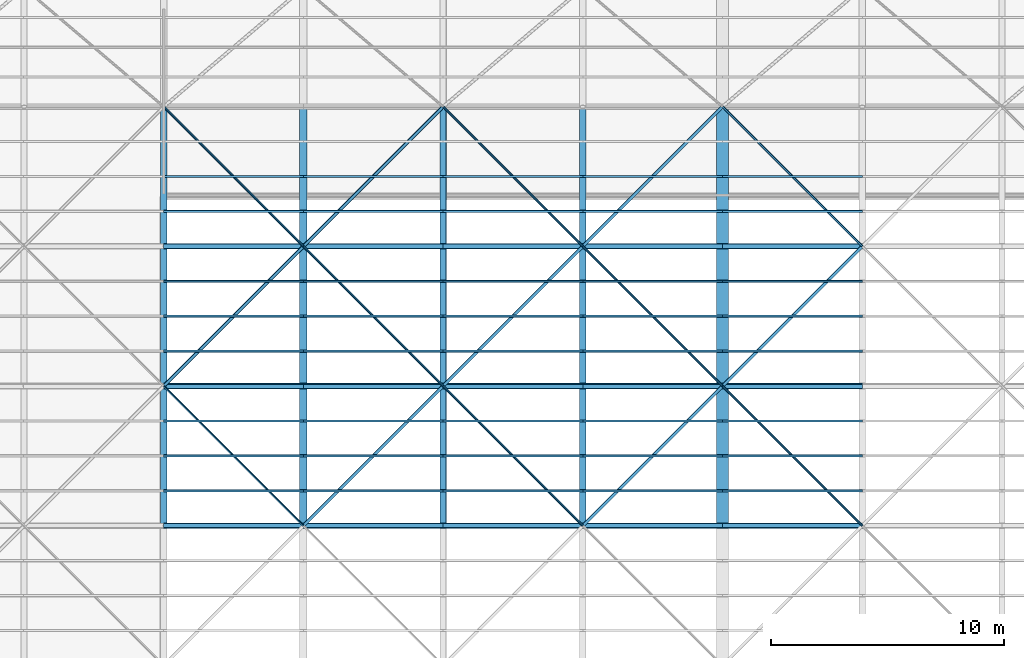
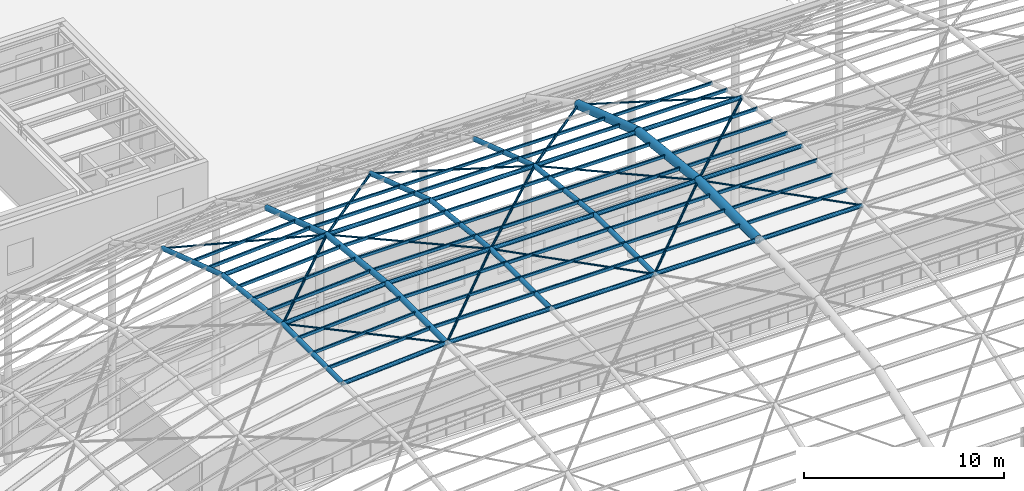
# One storey, part 31 of 75: 85 members.
"""IFC4 building model written with IfcOpenShell, lengths in metres."""

from ifc_helpers import new_model, si_unit, direction, frame, origin, origin_2d, place, context, subcontext, project, spatial, hollow_rectangle, hollow_circle, extrude, material, material_profile, profile_set, type_object, element, save


model = new_model("IFC4")

# Units and contexts
model_context = context("Model", 3, precision=1e-05, world=origin(), true_north=direction((0.0, 1.0)))
body_context = subcontext(model_context, "Body", "Model", "MODEL_VIEW")
ifc_project = project(units=[si_unit("LENGTHUNIT", "METRE"), si_unit("AREAUNIT", "SQUARE_METRE"), si_unit("VOLUMEUNIT", "CUBIC_METRE"), si_unit("PLANEANGLEUNIT", "RADIAN"), si_unit("MASSUNIT", "GRAM", prefix="KILO")], contexts=[model_context])

# Site, building, storey
site_placement = place(None, origin())
site = spatial("IfcSite", under=ifc_project, at=site_placement, CompositionType="ELEMENT")
building_placement = place(site_placement, origin())
building = spatial("IfcBuilding", under=site, at=building_placement, Name="Kolvaren Corner Interchange", CompositionType="ELEMENT")
storey_placement = place(building_placement, frame((0.0, 0.0, 10.5)))
storey = spatial("IfcBuildingStorey", under=building, at=storey_placement, Name="L03", CompositionType="ELEMENT", Elevation=10.5)

# Members
ifc_material_1 = material(Name="Steel S355", Category="steel")
ifc_material_profile_1 = material_profile(ifc_material_1, hollow_circle(Radius=0.05078125, WallThickness=0.00634765625, at=origin_2d()), Name="CHS 101.6x6.3")
ifc_profile_set_1 = profile_set([ifc_material_profile_1], Name="Steel S355")
member_type_1 = type_object("IfcMemberType", Name="MEM-BR-CHS102", PredefinedType="BRACE", material=ifc_profile_set_1)
member_1_placement = place(storey_placement, frame((66.0, 54.0, 16.705078125), z_axis=(0.706417257101, -0.706417257101, 0.044151078569), x_axis=(0.707106781187, 0.707106781187, 0.0)))
element("IfcMember", 1, at=member_1_placement, inside=storey, type_object=member_type_1, Name="Concourse Translational Gridshell Nodal Diagonal Brace 0029", PredefinedType="BRACE", context=body_context, shape_type="SweptSolid", body=[
    extrude(hollow_circle(Radius=0.05078125, WallThickness=0.00634765625, at=origin_2d()), origin(), (0.0, 0.0, 1.0), 8.49365234375),
])
member_2_placement = place(storey_placement, frame((66.0, 66.0, 14.0380859375), z_axis=(0.680936695779, -0.680936695779, 0.269537442079), x_axis=(0.707106781187, 0.707106781187, 0.0)))
element("IfcMember", 2, at=member_2_placement, inside=storey, type_object=member_type_1, Name="Concourse Translational Gridshell Nodal Diagonal Brace 0031", PredefinedType="BRACE", context=body_context, shape_type="SweptSolid", body=[
    extrude(hollow_circle(Radius=0.05078125, WallThickness=0.00634765625, at=origin_2d()), origin(), (0.0, 0.0, 1.0), 8.811279296875),
])
member_3_placement = place(storey_placement, frame((72.0, 60.0, 16.4130859375), z_axis=(0.704932292788, -0.704932292788, 0.078364055334), x_axis=(0.707106781187, 0.707106781187, 0.0)))
element("IfcMember", 3, at=member_3_placement, inside=storey, type_object=member_type_1, Name="Concourse Translational Gridshell Nodal Diagonal Brace 0038", PredefinedType="BRACE", context=body_context, shape_type="SweptSolid", body=[
    extrude(hollow_circle(Radius=0.05078125, WallThickness=0.00634765625, at=origin_2d()), origin(), (0.0, 0.0, 1.0), 8.511474609375),
])
member_4_placement = place(storey_placement, frame((78.0, 54.0, 17.080078125), z_axis=(0.707106781187, -0.707106781187, 0.0), x_axis=(0.707106781187, 0.707106781187, 0.0)))
element("IfcMember", 4, at=member_4_placement, inside=storey, type_object=member_type_1, Name="Concourse Translational Gridshell Nodal Diagonal Brace 0045", PredefinedType="BRACE", context=body_context, shape_type="SweptSolid", body=[
    extrude(hollow_circle(Radius=0.05078125, WallThickness=0.00634765625, at=origin_2d()), origin(), (0.0, 0.0, 1.0), 8.4853515625),
])
member_5_placement = place(storey_placement, frame((78.0, 66.0, 14.4130859375), z_axis=(0.688247201612, -0.688247201612, 0.229415733871), x_axis=(0.707106781187, 0.707106781187, 0.0)))
element("IfcMember", 5, at=member_5_placement, inside=storey, type_object=member_type_1, Name="Concourse Translational Gridshell Nodal Diagonal Brace 0047", PredefinedType="BRACE", context=body_context, shape_type="SweptSolid", body=[
    extrude(hollow_circle(Radius=0.05078125, WallThickness=0.00634765625, at=origin_2d()), origin(), (0.0, 0.0, 1.0), 8.7177734375),
])
member_6_placement = place(storey_placement, frame((84.0, 60.0, 16.4130859375), z_axis=(0.704932292788, -0.704932292788, 0.078364055334), x_axis=(0.707106781187, 0.707106781187, 0.0)))
element("IfcMember", 6, at=member_6_placement, inside=storey, type_object=member_type_1, Name="Concourse Translational Gridshell Nodal Diagonal Brace 0054", PredefinedType="BRACE", context=body_context, shape_type="SweptSolid", body=[
    extrude(hollow_circle(Radius=0.05078125, WallThickness=0.00634765625, at=origin_2d()), origin(), (0.0, 0.0, 1.0), 8.511474609375),
])
member_7_placement = place(storey_placement, frame((90.0, 54.0, 17.080078125), z_axis=(0.707106781187, -0.707106781187, 0.0), x_axis=(0.707106781187, 0.707106781187, 0.0)))
element("IfcMember", 7, at=member_7_placement, inside=storey, type_object=member_type_1, Name="Concourse Translational Gridshell Nodal Diagonal Brace 0061", PredefinedType="BRACE", context=body_context, shape_type="SweptSolid", body=[
    extrude(hollow_circle(Radius=0.05078125, WallThickness=0.00634765625, at=origin_2d()), origin(), (0.0, 0.0, 1.0), 8.4853515625),
])
member_8_placement = place(storey_placement, frame((90.0, 66.0, 14.4130859375), z_axis=(0.688247201612, -0.688247201612, 0.229415733871), x_axis=(0.707106781187, 0.707106781187, 0.0)))
element("IfcMember", 8, at=member_8_placement, inside=storey, type_object=member_type_1, Name="Concourse Translational Gridshell Nodal Diagonal Brace 0063", PredefinedType="BRACE", context=body_context, shape_type="SweptSolid", body=[
    extrude(hollow_circle(Radius=0.05078125, WallThickness=0.00634765625, at=origin_2d()), origin(), (0.0, 0.0, 1.0), 8.7177734375),
])
ifc_material_2 = material(Name="Steel S355", Category="steel")
ifc_material_profile_2 = material_profile(ifc_material_2, hollow_circle(Radius=0.06982421875, WallThickness=0.008056640625, at=origin_2d()), Name="CHS 139.7x8.0")
ifc_profile_set_2 = profile_set([ifc_material_profile_2], Name="Steel S355")
member_type_2 = type_object("IfcMemberType", Name="MEM-BR-CHS140", PredefinedType="BRACE", material=ifc_profile_set_2)
member_9_placement = place(storey_placement, frame((66.0, 54.0, 16.705078125), z_axis=(0.706688489265, 0.706688489265, -0.034391252977), x_axis=(-0.707106781187, 0.707106781187, 0.0)))
element("IfcMember", 9, at=member_9_placement, inside=storey, type_object=member_type_2, Name="Concourse Translational Gridshell Nodal Diagonal Brace 0030", PredefinedType="BRACE", context=body_context, shape_type="SweptSolid", body=[
    extrude(hollow_circle(Radius=0.06982421875, WallThickness=0.008056640625, at=origin_2d()), origin(), (0.0, 0.0, 1.0), 8.490234375),
])
member_10_placement = place(storey_placement, frame((72.0, 48.0, 17.080078125), z_axis=(0.707106781187, 0.707106781187, 0.0), x_axis=(-0.707106781187, 0.707106781187, 0.0)))
element("IfcMember", 10, at=member_10_placement, inside=storey, type_object=member_type_2, Name="Concourse Translational Gridshell Nodal Diagonal Brace 0037", PredefinedType="BRACE", context=body_context, shape_type="SweptSolid", body=[
    extrude(hollow_circle(Radius=0.06982421875, WallThickness=0.008056640625, at=origin_2d()), origin(), (0.0, 0.0, 1.0), 8.4853515625),
])
member_11_placement = place(storey_placement, frame((72.0, 60.0, 16.4130859375), z_axis=(0.688247201612, 0.688247201612, -0.229415733871), x_axis=(-0.707106781187, 0.707106781187, 0.0)))
element("IfcMember", 11, at=member_11_placement, inside=storey, type_object=member_type_2, Name="Concourse Translational Gridshell Nodal Diagonal Brace 0039", PredefinedType="BRACE", context=body_context, shape_type="SweptSolid", body=[
    extrude(hollow_circle(Radius=0.06982421875, WallThickness=0.008056640625, at=origin_2d()), origin(), (0.0, 0.0, 1.0), 8.7177734375),
])
member_12_placement = place(storey_placement, frame((78.0, 54.0, 17.080078125), z_axis=(0.704932292788, 0.704932292788, -0.078364055334), x_axis=(-0.707106781187, 0.707106781187, 0.0)))
element("IfcMember", 12, at=member_12_placement, inside=storey, type_object=member_type_2, Name="Concourse Translational Gridshell Nodal Diagonal Brace 0046", PredefinedType="BRACE", context=body_context, shape_type="SweptSolid", body=[
    extrude(hollow_circle(Radius=0.06982421875, WallThickness=0.008056640625, at=origin_2d()), origin(), (0.0, 0.0, 1.0), 8.511474609375),
])
member_13_placement = place(storey_placement, frame((84.0, 48.0, 17.080078125), z_axis=(0.707106781187, 0.707106781187, 0.0), x_axis=(-0.707106781187, 0.707106781187, 0.0)))
element("IfcMember", 13, at=member_13_placement, inside=storey, type_object=member_type_2, Name="Concourse Translational Gridshell Nodal Diagonal Brace 0053", PredefinedType="BRACE", context=body_context, shape_type="SweptSolid", body=[
    extrude(hollow_circle(Radius=0.06982421875, WallThickness=0.008056640625, at=origin_2d()), origin(), (0.0, 0.0, 1.0), 8.4853515625),
])
member_14_placement = place(storey_placement, frame((84.0, 60.0, 16.4130859375), z_axis=(0.688247201612, 0.688247201612, -0.229415733871), x_axis=(-0.707106781187, 0.707106781187, 0.0)))
element("IfcMember", 14, at=member_14_placement, inside=storey, type_object=member_type_2, Name="Concourse Translational Gridshell Nodal Diagonal Brace 0055", PredefinedType="BRACE", context=body_context, shape_type="SweptSolid", body=[
    extrude(hollow_circle(Radius=0.06982421875, WallThickness=0.008056640625, at=origin_2d()), origin(), (0.0, 0.0, 1.0), 8.7177734375),
])
member_15_placement = place(storey_placement, frame((90.0, 54.0, 17.080078125), z_axis=(0.704932292788, 0.704932292788, -0.078364055334), x_axis=(-0.707106781187, 0.707106781187, 0.0)))
element("IfcMember", 15, at=member_15_placement, inside=storey, type_object=member_type_2, Name="Concourse Translational Gridshell Nodal Diagonal Brace 0062", PredefinedType="BRACE", context=body_context, shape_type="SweptSolid", body=[
    extrude(hollow_circle(Radius=0.06982421875, WallThickness=0.008056640625, at=origin_2d()), origin(), (0.0, 0.0, 1.0), 8.511474609375),
])
ifc_material_3 = material(Name="Steel S355", Category="steel")
ifc_material_profile_3 = material_profile(ifc_material_3, hollow_circle(Radius=0.122314453125, WallThickness=0.012451171875, at=origin_2d()), Name="CHS 244.5x12.5")
ifc_profile_set_3 = profile_set([ifc_material_profile_3], Name="Steel S355")
member_type_3 = type_object("IfcMemberType", Name="MEM-CH-CHS245", PredefinedType="CHORD", material=ifc_profile_set_3)
member_16_placement = place(storey_placement, frame((66.0, 48.0, 16.705078125), z_axis=(0.998052578483, 0.0, 0.062378286155), x_axis=(0.0, 1.0, 0.0)))
element("IfcMember", 16, at=member_16_placement, inside=storey, type_object=member_type_3, Name="Concourse Translational Gridshell Longitudinal Arch Chord 0150", PredefinedType="CHORD", context=body_context, shape_type="SweptSolid", body=[
    extrude(hollow_circle(Radius=0.122314453125, WallThickness=0.012451171875, at=origin_2d()), origin(), (0.0, 0.0, 1.0), 6.01171875),
])
for number, where, z_axis, x_axis, name in (
    (17, (72.0, 48.0, 17.080078125), (1.0, 0.0, 0.0), (0.0, 1.0, 0.0), "Concourse Translational Gridshell Longitudinal Arch Chord 0151"),
    (18, (78.0, 48.0, 17.080078125), (1.0, 0.0, 0.0), (0.0, 1.0, 0.0), "Concourse Translational Gridshell Longitudinal Arch Chord 0152"),
    (19, (84.0, 48.0, 17.080078125), (1.0, 0.0, 0.0), (0.0, 1.0, 0.0), "Concourse Translational Gridshell Longitudinal Arch Chord 0153"),
    (20, (90.0, 48.0, 17.080078125), (1.0, 0.0, 0.0), (0.0, 1.0, 0.0), "Concourse Translational Gridshell Longitudinal Arch Chord 0154"),
):
    element("IfcMember", number, at=place(storey_placement, frame(where, z_axis=z_axis, x_axis=x_axis)), inside=storey, type_object=member_type_3, Name=name, PredefinedType="CHORD", context=body_context, shape_type="SweptSolid", body=[
        extrude(hollow_circle(Radius=0.122314453125, WallThickness=0.012451171875, at=origin_2d()), origin(), (0.0, 0.0, 1.0), 6.0),
    ])
member_17_placement = place(storey_placement, frame((66.0, 54.0, 16.705078125), z_axis=(0.998052578483, 0.0, 0.062378286155), x_axis=(0.0, 1.0, 0.0)))
element("IfcMember", 21, at=member_17_placement, inside=storey, type_object=member_type_3, Name="Concourse Translational Gridshell Longitudinal Arch Chord 0164", PredefinedType="CHORD", context=body_context, shape_type="SweptSolid", body=[
    extrude(hollow_circle(Radius=0.122314453125, WallThickness=0.012451171875, at=origin_2d()), origin(), (0.0, 0.0, 1.0), 6.01171875),
])
for number, where, z_axis, x_axis, name in (
    (22, (72.0, 54.0, 17.080078125), (1.0, 0.0, 0.0), (0.0, 1.0, 0.0), "Concourse Translational Gridshell Longitudinal Arch Chord 0165"),
    (23, (78.0, 54.0, 17.080078125), (1.0, 0.0, 0.0), (0.0, 1.0, 0.0), "Concourse Translational Gridshell Longitudinal Arch Chord 0166"),
    (24, (84.0, 54.0, 17.080078125), (1.0, 0.0, 0.0), (0.0, 1.0, 0.0), "Concourse Translational Gridshell Longitudinal Arch Chord 0167"),
    (25, (90.0, 54.0, 17.080078125), (1.0, 0.0, 0.0), (0.0, 1.0, 0.0), "Concourse Translational Gridshell Longitudinal Arch Chord 0168"),
):
    element("IfcMember", number, at=place(storey_placement, frame(where, z_axis=z_axis, x_axis=x_axis)), inside=storey, type_object=member_type_3, Name=name, PredefinedType="CHORD", context=body_context, shape_type="SweptSolid", body=[
        extrude(hollow_circle(Radius=0.122314453125, WallThickness=0.012451171875, at=origin_2d()), origin(), (0.0, 0.0, 1.0), 6.0),
    ])
member_18_placement = place(storey_placement, frame((66.0, 60.0, 16.0380859375), z_axis=(0.998052578483, 0.0, 0.062378286155), x_axis=(0.0, 1.0, 0.0)))
element("IfcMember", 26, at=member_18_placement, inside=storey, type_object=member_type_3, Name="Concourse Translational Gridshell Longitudinal Arch Chord 0178", PredefinedType="CHORD", context=body_context, shape_type="SweptSolid", body=[
    extrude(hollow_circle(Radius=0.122314453125, WallThickness=0.012451171875, at=origin_2d()), origin(), (0.0, 0.0, 1.0), 6.01171875),
])
for number, where, z_axis, x_axis, name in (
    (27, (72.0, 60.0, 16.4130859375), (1.0, 0.0, 0.0), (0.0, 1.0, 0.0), "Concourse Translational Gridshell Longitudinal Arch Chord 0179"),
    (28, (78.0, 60.0, 16.4130859375), (1.0, 0.0, 0.0), (0.0, 1.0, 0.0), "Concourse Translational Gridshell Longitudinal Arch Chord 0180"),
    (29, (84.0, 60.0, 16.4130859375), (1.0, 0.0, 0.0), (0.0, 1.0, 0.0), "Concourse Translational Gridshell Longitudinal Arch Chord 0181"),
    (30, (90.0, 60.0, 16.4130859375), (1.0, 0.0, 0.0), (0.0, 1.0, 0.0), "Concourse Translational Gridshell Longitudinal Arch Chord 0182"),
):
    element("IfcMember", number, at=place(storey_placement, frame(where, z_axis=z_axis, x_axis=x_axis)), inside=storey, type_object=member_type_3, Name=name, PredefinedType="CHORD", context=body_context, shape_type="SweptSolid", body=[
        extrude(hollow_circle(Radius=0.122314453125, WallThickness=0.012451171875, at=origin_2d()), origin(), (0.0, 0.0, 1.0), 6.0),
    ])
ifc_material_4 = material(Name="Steel S355", Category="steel")
ifc_material_profile_4 = material_profile(ifc_material_4, hollow_circle(Radius=0.136474609375, WallThickness=0.012451171875, at=origin_2d()), Name="CHS 273.0x12.5")
ifc_profile_set_4 = profile_set([ifc_material_profile_4], Name="Steel S355")
member_type_4 = type_object("IfcMemberType", Name="MEM-CH-CHS273", PredefinedType="CHORD", material=ifc_profile_set_4)
member_19_placement = place(storey_placement, frame((66.0, 48.0, 16.705078125), z_axis=(0.0, 1.0, 0.0), x_axis=(-1.0, 0.0, 0.0)))
element("IfcMember", 31, at=member_19_placement, inside=storey, type_object=member_type_4, Name="Concourse Translational Gridshell Transverse Arch Chord 0021", PredefinedType="CHORD", context=body_context, shape_type="SweptSolid", body=[
    extrude(hollow_circle(Radius=0.136474609375, WallThickness=0.012451171875, at=origin_2d()), origin(), (0.0, 0.0, 1.0), 6.0),
])
member_20_placement = place(storey_placement, frame((66.0, 54.0, 16.705078125), z_axis=(0.0, 0.993877815052, -0.110484789662), x_axis=(-1.0, 0.0, 0.0)))
element("IfcMember", 32, at=member_20_placement, inside=storey, type_object=member_type_4, Name="Concourse Translational Gridshell Transverse Arch Chord 0022", PredefinedType="CHORD", context=body_context, shape_type="SweptSolid", body=[
    extrude(hollow_circle(Radius=0.136474609375, WallThickness=0.012451171875, at=origin_2d()), origin(), (0.0, 0.0, 1.0), 6.036865234375),
])
member_21_placement = place(storey_placement, frame((66.0, 60.0, 16.0380859375), z_axis=(0.0, 0.948683298051, -0.316227766017), x_axis=(-1.0, 0.0, 0.0)))
element("IfcMember", 33, at=member_21_placement, inside=storey, type_object=member_type_4, Name="Concourse Translational Gridshell Transverse Arch Chord 0023", PredefinedType="CHORD", context=body_context, shape_type="SweptSolid", body=[
    extrude(hollow_circle(Radius=0.136474609375, WallThickness=0.012451171875, at=origin_2d()), origin(), (0.0, 0.0, 1.0), 6.324462890625),
])
member_22_placement = place(storey_placement, frame((78.0, 48.0, 17.080078125), z_axis=(0.0, 1.0, 0.0), x_axis=(-1.0, 0.0, 0.0)))
element("IfcMember", 34, at=member_22_placement, inside=storey, type_object=member_type_4, Name="Concourse Translational Gridshell Transverse Arch Chord 0037", PredefinedType="CHORD", context=body_context, shape_type="SweptSolid", body=[
    extrude(hollow_circle(Radius=0.136474609375, WallThickness=0.012451171875, at=origin_2d()), origin(), (0.0, 0.0, 1.0), 6.0),
])
member_23_placement = place(storey_placement, frame((78.0, 54.0, 17.080078125), z_axis=(0.0, 0.993877815052, -0.110484789662), x_axis=(-1.0, 0.0, 0.0)))
element("IfcMember", 35, at=member_23_placement, inside=storey, type_object=member_type_4, Name="Concourse Translational Gridshell Transverse Arch Chord 0038", PredefinedType="CHORD", context=body_context, shape_type="SweptSolid", body=[
    extrude(hollow_circle(Radius=0.136474609375, WallThickness=0.012451171875, at=origin_2d()), origin(), (0.0, 0.0, 1.0), 6.036865234375),
])
member_24_placement = place(storey_placement, frame((78.0, 60.0, 16.4130859375), z_axis=(0.0, 0.948683298051, -0.316227766017), x_axis=(-1.0, 0.0, 0.0)))
element("IfcMember", 36, at=member_24_placement, inside=storey, type_object=member_type_4, Name="Concourse Translational Gridshell Transverse Arch Chord 0039", PredefinedType="CHORD", context=body_context, shape_type="SweptSolid", body=[
    extrude(hollow_circle(Radius=0.136474609375, WallThickness=0.012451171875, at=origin_2d()), origin(), (0.0, 0.0, 1.0), 6.324462890625),
])
member_25_placement = place(storey_placement, frame((84.0, 48.0, 17.080078125), z_axis=(0.0, 1.0, 0.0), x_axis=(-1.0, 0.0, 0.0)))
element("IfcMember", 37, at=member_25_placement, inside=storey, type_object=member_type_4, Name="Concourse Translational Gridshell Transverse Arch Chord 0045", PredefinedType="CHORD", context=body_context, shape_type="SweptSolid", body=[
    extrude(hollow_circle(Radius=0.136474609375, WallThickness=0.012451171875, at=origin_2d()), origin(), (0.0, 0.0, 1.0), 6.0),
])
member_26_placement = place(storey_placement, frame((84.0, 54.0, 17.080078125), z_axis=(0.0, 0.993877815052, -0.110484789662), x_axis=(-1.0, 0.0, 0.0)))
element("IfcMember", 38, at=member_26_placement, inside=storey, type_object=member_type_4, Name="Concourse Translational Gridshell Transverse Arch Chord 0046", PredefinedType="CHORD", context=body_context, shape_type="SweptSolid", body=[
    extrude(hollow_circle(Radius=0.136474609375, WallThickness=0.012451171875, at=origin_2d()), origin(), (0.0, 0.0, 1.0), 6.036865234375),
])
member_27_placement = place(storey_placement, frame((84.0, 60.0, 16.4130859375), z_axis=(0.0, 0.948683298051, -0.316227766017), x_axis=(-1.0, 0.0, 0.0)))
element("IfcMember", 39, at=member_27_placement, inside=storey, type_object=member_type_4, Name="Concourse Translational Gridshell Transverse Arch Chord 0047", PredefinedType="CHORD", context=body_context, shape_type="SweptSolid", body=[
    extrude(hollow_circle(Radius=0.136474609375, WallThickness=0.012451171875, at=origin_2d()), origin(), (0.0, 0.0, 1.0), 6.324462890625),
])
ifc_material_5 = material(Name="Steel S355", Category="steel")
ifc_material_profile_5 = material_profile(ifc_material_5, hollow_circle(Radius=0.161865234375, WallThickness=0.012451171875, at=origin_2d()), Name="CHS 323.9x12.5")
ifc_profile_set_5 = profile_set([ifc_material_profile_5], Name="Steel S355")
member_type_5 = type_object("IfcMemberType", Name="MEM-CH-CHS324", PredefinedType="CHORD", material=ifc_profile_set_5)
member_28_placement = place(storey_placement, frame((72.0, 48.0, 17.080078125), z_axis=(0.0, 1.0, 0.0), x_axis=(-1.0, 0.0, 0.0)))
element("IfcMember", 40, at=member_28_placement, inside=storey, type_object=member_type_5, Name="Concourse Translational Gridshell Transverse Arch Chord 0029", PredefinedType="CHORD", context=body_context, shape_type="SweptSolid", body=[
    extrude(hollow_circle(Radius=0.161865234375, WallThickness=0.012451171875, at=origin_2d()), origin(), (0.0, 0.0, 1.0), 6.0),
])
member_29_placement = place(storey_placement, frame((72.0, 54.0, 17.080078125), z_axis=(0.0, 0.993877815052, -0.110484789662), x_axis=(-1.0, 0.0, 0.0)))
element("IfcMember", 41, at=member_29_placement, inside=storey, type_object=member_type_5, Name="Concourse Translational Gridshell Transverse Arch Chord 0030", PredefinedType="CHORD", context=body_context, shape_type="SweptSolid", body=[
    extrude(hollow_circle(Radius=0.161865234375, WallThickness=0.012451171875, at=origin_2d()), origin(), (0.0, 0.0, 1.0), 6.036865234375),
])
member_30_placement = place(storey_placement, frame((72.0, 60.0, 16.4130859375), z_axis=(0.0, 0.948683298051, -0.316227766017), x_axis=(-1.0, 0.0, 0.0)))
element("IfcMember", 42, at=member_30_placement, inside=storey, type_object=member_type_5, Name="Concourse Translational Gridshell Transverse Arch Chord 0031", PredefinedType="CHORD", context=body_context, shape_type="SweptSolid", body=[
    extrude(hollow_circle(Radius=0.161865234375, WallThickness=0.012451171875, at=origin_2d()), origin(), (0.0, 0.0, 1.0), 6.324462890625),
])
ifc_material_6 = material(Name="Steel S355", Category="steel")
ifc_material_profile_6 = material_profile(ifc_material_6, hollow_circle(Radius=0.25390625, WallThickness=0.01611328125, at=origin_2d()), Name="CHS 508.0x16.0")
ifc_profile_set_6 = profile_set([ifc_material_profile_6], Name="Steel S355")
member_type_6 = type_object("IfcMemberType", Name="MEM-CH-CHS508", PredefinedType="CHORD", material=ifc_profile_set_6)
member_31_placement = place(storey_placement, frame((90.0, 48.0, 17.080078125), z_axis=(0.0, 1.0, 0.0), x_axis=(-1.0, 0.0, 0.0)))
element("IfcMember", 43, at=member_31_placement, inside=storey, type_object=member_type_6, Name="Concourse Translational Gridshell Transverse Arch Chord 0053", PredefinedType="CHORD", context=body_context, shape_type="SweptSolid", body=[
    extrude(hollow_circle(Radius=0.25390625, WallThickness=0.01611328125, at=origin_2d()), origin(), (0.0, 0.0, 1.0), 6.0),
])
member_32_placement = place(storey_placement, frame((90.0, 54.0, 17.080078125), z_axis=(0.0, 0.993877815052, -0.110484789662), x_axis=(-1.0, 0.0, 0.0)))
element("IfcMember", 44, at=member_32_placement, inside=storey, type_object=member_type_6, Name="Concourse Translational Gridshell Transverse Arch Chord 0054", PredefinedType="CHORD", context=body_context, shape_type="SweptSolid", body=[
    extrude(hollow_circle(Radius=0.25390625, WallThickness=0.01611328125, at=origin_2d()), origin(), (0.0, 0.0, 1.0), 6.036865234375),
])
member_33_placement = place(storey_placement, frame((90.0, 60.0, 16.4130859375), z_axis=(0.0, 0.948683298051, -0.316227766017), x_axis=(-1.0, 0.0, 0.0)))
element("IfcMember", 45, at=member_33_placement, inside=storey, type_object=member_type_6, Name="Concourse Translational Gridshell Transverse Arch Chord 0055", PredefinedType="CHORD", context=body_context, shape_type="SweptSolid", body=[
    extrude(hollow_circle(Radius=0.25390625, WallThickness=0.01611328125, at=origin_2d()), origin(), (0.0, 0.0, 1.0), 6.324462890625),
])
ifc_material_7 = material(Name="Steel S355", Category="steel")
ifc_material_profile_7 = material_profile(ifc_material_7, hollow_rectangle(XDim=0.10009765625, YDim=0.179931640625, WallThickness=0.008056640625, InnerFilletRadius=0.008056640625, OuterFilletRadius=0.01611328125, at=origin_2d()), Name="RHS 180x100x8.0")
ifc_profile_set_7 = profile_set([ifc_material_profile_7], Name="Steel S355")
member_type_7 = type_object("IfcMemberType", Name="MEM-PR-RHS180", PredefinedType="PURLIN", material=ifc_profile_set_7)
for number, where, z_axis, x_axis, name in (
    (46, (66.0, 51.0, 16.7529296875), (0.998052578483, 0.0, 0.062378286155), (0.0, 1.0, 0.0), "Concourse Translational Gridshell Glazing Purlin 0029 Row 2"),
    (47, (66.0, 57.0, 16.41943359375), (0.998052578483, 0.0, 0.062378286155), (0.0, 1.0, 0.0), "Concourse Translational Gridshell Glazing Purlin 0030 Row 2"),
    (48, (66.0, 63.0, 15.0859375), (0.998052578483, 0.0, 0.062378286155), (0.0, 1.0, 0.0), "Concourse Translational Gridshell Glazing Purlin 0031 Row 2"),
):
    element("IfcMember", number, at=place(storey_placement, frame(where, z_axis=z_axis, x_axis=x_axis)), inside=storey, type_object=member_type_7, Name=name, PredefinedType="PURLIN", context=body_context, shape_type="SweptSolid", body=[
        extrude(hollow_rectangle(XDim=0.10009765625, YDim=0.179931640625, WallThickness=0.008056640625, InnerFilletRadius=0.008056640625, OuterFilletRadius=0.01611328125, at=origin_2d()), origin(), (0.0, 0.0, 1.0), 6.01171875),
    ])
for number, where, z_axis, x_axis, name in (
    (49, (72.0, 51.0, 17.1279296875), (1.0, 0.0, 0.0), (0.0, 1.0, 0.0), "Concourse Translational Gridshell Glazing Purlin 0037 Row 2"),
    (50, (72.0, 57.0, 16.79443359375), (1.0, 0.0, 0.0), (0.0, 1.0, 0.0), "Concourse Translational Gridshell Glazing Purlin 0038 Row 2"),
    (51, (72.0, 63.0, 15.4609375), (1.0, 0.0, 0.0), (0.0, 1.0, 0.0), "Concourse Translational Gridshell Glazing Purlin 0039 Row 2"),
    (52, (78.0, 51.0, 17.1279296875), (1.0, 0.0, 0.0), (0.0, 1.0, 0.0), "Concourse Translational Gridshell Glazing Purlin 0045 Row 2"),
    (53, (78.0, 57.0, 16.79443359375), (1.0, 0.0, 0.0), (0.0, 1.0, 0.0), "Concourse Translational Gridshell Glazing Purlin 0046 Row 2"),
    (54, (78.0, 63.0, 15.4609375), (1.0, 0.0, 0.0), (0.0, 1.0, 0.0), "Concourse Translational Gridshell Glazing Purlin 0047 Row 2"),
    (55, (84.0, 51.0, 17.1279296875), (1.0, 0.0, 0.0), (0.0, 1.0, 0.0), "Concourse Translational Gridshell Glazing Purlin 0053 Row 2"),
    (56, (84.0, 57.0, 16.79443359375), (1.0, 0.0, 0.0), (0.0, 1.0, 0.0), "Concourse Translational Gridshell Glazing Purlin 0054 Row 2"),
    (57, (84.0, 63.0, 15.4609375), (1.0, 0.0, 0.0), (0.0, 1.0, 0.0), "Concourse Translational Gridshell Glazing Purlin 0055 Row 2"),
    (58, (90.0, 51.0, 17.1279296875), (1.0, 0.0, 0.0), (0.0, 1.0, 0.0), "Concourse Translational Gridshell Glazing Purlin 0061 Row 2"),
    (59, (90.0, 57.0, 16.79443359375), (1.0, 0.0, 0.0), (0.0, 1.0, 0.0), "Concourse Translational Gridshell Glazing Purlin 0062 Row 2"),
    (60, (90.0, 63.0, 15.4609375), (1.0, 0.0, 0.0), (0.0, 1.0, 0.0), "Concourse Translational Gridshell Glazing Purlin 0063 Row 2"),
):
    element("IfcMember", number, at=place(storey_placement, frame(where, z_axis=z_axis, x_axis=x_axis)), inside=storey, type_object=member_type_7, Name=name, PredefinedType="PURLIN", context=body_context, shape_type="SweptSolid", body=[
        extrude(hollow_rectangle(XDim=0.10009765625, YDim=0.179931640625, WallThickness=0.008056640625, InnerFilletRadius=0.008056640625, OuterFilletRadius=0.01611328125, at=origin_2d()), origin(), (0.0, 0.0, 1.0), 6.0),
    ])
ifc_material_8 = material(Name="Steel S355", Category="steel")
ifc_material_profile_8 = material_profile(ifc_material_8, hollow_rectangle(XDim=0.10009765625, YDim=0.199951171875, WallThickness=0.008056640625, InnerFilletRadius=0.008056640625, OuterFilletRadius=0.01611328125, at=origin_2d()), Name="RHS 200x100x8.0")
ifc_profile_set_8 = profile_set([ifc_material_profile_8], Name="Steel S355")
member_type_8 = type_object("IfcMemberType", Name="MEM-PR-RHS200", PredefinedType="PURLIN", material=ifc_profile_set_8)
for number, where, z_axis, x_axis, name in (
    (61, (66.0, 49.5, 16.742919921875), (0.998052578483, 0.0, 0.062378286155), (0.0, 1.0, 0.0), "Concourse Translational Gridshell Glazing Purlin 0029 Row 1"),
    (62, (66.0, 52.5, 16.742919921875), (0.998052578483, 0.0, 0.062378286155), (0.0, 1.0, 0.0), "Concourse Translational Gridshell Glazing Purlin 0029 Row 3"),
    (63, (66.0, 55.5, 16.576171875), (0.998052578483, 0.0, 0.062378286155), (0.0, 1.0, 0.0), "Concourse Translational Gridshell Glazing Purlin 0030 Row 1"),
    (64, (66.0, 58.5, 16.24267578125), (0.998052578483, 0.0, 0.062378286155), (0.0, 1.0, 0.0), "Concourse Translational Gridshell Glazing Purlin 0030 Row 3"),
    (65, (66.0, 61.5, 15.575927734375), (0.998052578483, 0.0, 0.062378286155), (0.0, 1.0, 0.0), "Concourse Translational Gridshell Glazing Purlin 0031 Row 1"),
):
    element("IfcMember", number, at=place(storey_placement, frame(where, z_axis=z_axis, x_axis=x_axis)), inside=storey, type_object=member_type_8, Name=name, PredefinedType="PURLIN", context=body_context, shape_type="SweptSolid", body=[
        extrude(hollow_rectangle(XDim=0.10009765625, YDim=0.199951171875, WallThickness=0.008056640625, InnerFilletRadius=0.008056640625, OuterFilletRadius=0.01611328125, at=origin_2d()), origin(), (0.0, 0.0, 1.0), 6.01171875),
    ])
for number, where, z_axis, x_axis, name in (
    (66, (72.0, 49.5, 17.117919921875), (1.0, 0.0, 0.0), (0.0, 1.0, 0.0), "Concourse Translational Gridshell Glazing Purlin 0037 Row 1"),
    (67, (72.0, 52.5, 17.117919921875), (1.0, 0.0, 0.0), (0.0, 1.0, 0.0), "Concourse Translational Gridshell Glazing Purlin 0037 Row 3"),
    (68, (72.0, 55.5, 16.951171875), (1.0, 0.0, 0.0), (0.0, 1.0, 0.0), "Concourse Translational Gridshell Glazing Purlin 0038 Row 1"),
    (69, (72.0, 58.5, 16.61767578125), (1.0, 0.0, 0.0), (0.0, 1.0, 0.0), "Concourse Translational Gridshell Glazing Purlin 0038 Row 3"),
    (70, (72.0, 61.5, 15.950927734375), (1.0, 0.0, 0.0), (0.0, 1.0, 0.0), "Concourse Translational Gridshell Glazing Purlin 0039 Row 1"),
    (71, (78.0, 49.5, 17.117919921875), (1.0, 0.0, 0.0), (0.0, 1.0, 0.0), "Concourse Translational Gridshell Glazing Purlin 0045 Row 1"),
    (72, (78.0, 52.5, 17.117919921875), (1.0, 0.0, 0.0), (0.0, 1.0, 0.0), "Concourse Translational Gridshell Glazing Purlin 0045 Row 3"),
    (73, (78.0, 55.5, 16.951171875), (1.0, 0.0, 0.0), (0.0, 1.0, 0.0), "Concourse Translational Gridshell Glazing Purlin 0046 Row 1"),
    (74, (78.0, 58.5, 16.61767578125), (1.0, 0.0, 0.0), (0.0, 1.0, 0.0), "Concourse Translational Gridshell Glazing Purlin 0046 Row 3"),
    (75, (78.0, 61.5, 15.950927734375), (1.0, 0.0, 0.0), (0.0, 1.0, 0.0), "Concourse Translational Gridshell Glazing Purlin 0047 Row 1"),
    (76, (84.0, 49.5, 17.117919921875), (1.0, 0.0, 0.0), (0.0, 1.0, 0.0), "Concourse Translational Gridshell Glazing Purlin 0053 Row 1"),
    (77, (84.0, 52.5, 17.117919921875), (1.0, 0.0, 0.0), (0.0, 1.0, 0.0), "Concourse Translational Gridshell Glazing Purlin 0053 Row 3"),
    (78, (84.0, 55.5, 16.951171875), (1.0, 0.0, 0.0), (0.0, 1.0, 0.0), "Concourse Translational Gridshell Glazing Purlin 0054 Row 1"),
    (79, (84.0, 58.5, 16.61767578125), (1.0, 0.0, 0.0), (0.0, 1.0, 0.0), "Concourse Translational Gridshell Glazing Purlin 0054 Row 3"),
    (80, (84.0, 61.5, 15.950927734375), (1.0, 0.0, 0.0), (0.0, 1.0, 0.0), "Concourse Translational Gridshell Glazing Purlin 0055 Row 1"),
    (81, (90.0, 49.5, 17.117919921875), (1.0, 0.0, 0.0), (0.0, 1.0, 0.0), "Concourse Translational Gridshell Glazing Purlin 0061 Row 1"),
    (82, (90.0, 52.5, 17.117919921875), (1.0, 0.0, 0.0), (0.0, 1.0, 0.0), "Concourse Translational Gridshell Glazing Purlin 0061 Row 3"),
    (83, (90.0, 55.5, 16.951171875), (1.0, 0.0, 0.0), (0.0, 1.0, 0.0), "Concourse Translational Gridshell Glazing Purlin 0062 Row 1"),
    (84, (90.0, 58.5, 16.61767578125), (1.0, 0.0, 0.0), (0.0, 1.0, 0.0), "Concourse Translational Gridshell Glazing Purlin 0062 Row 3"),
    (85, (90.0, 61.5, 15.950927734375), (1.0, 0.0, 0.0), (0.0, 1.0, 0.0), "Concourse Translational Gridshell Glazing Purlin 0063 Row 1"),
):
    element("IfcMember", number, at=place(storey_placement, frame(where, z_axis=z_axis, x_axis=x_axis)), inside=storey, type_object=member_type_8, Name=name, PredefinedType="PURLIN", context=body_context, shape_type="SweptSolid", body=[
        extrude(hollow_rectangle(XDim=0.10009765625, YDim=0.199951171875, WallThickness=0.008056640625, InnerFilletRadius=0.008056640625, OuterFilletRadius=0.01611328125, at=origin_2d()), origin(), (0.0, 0.0, 1.0), 6.0),
    ])

save(model, "model.ifc")
